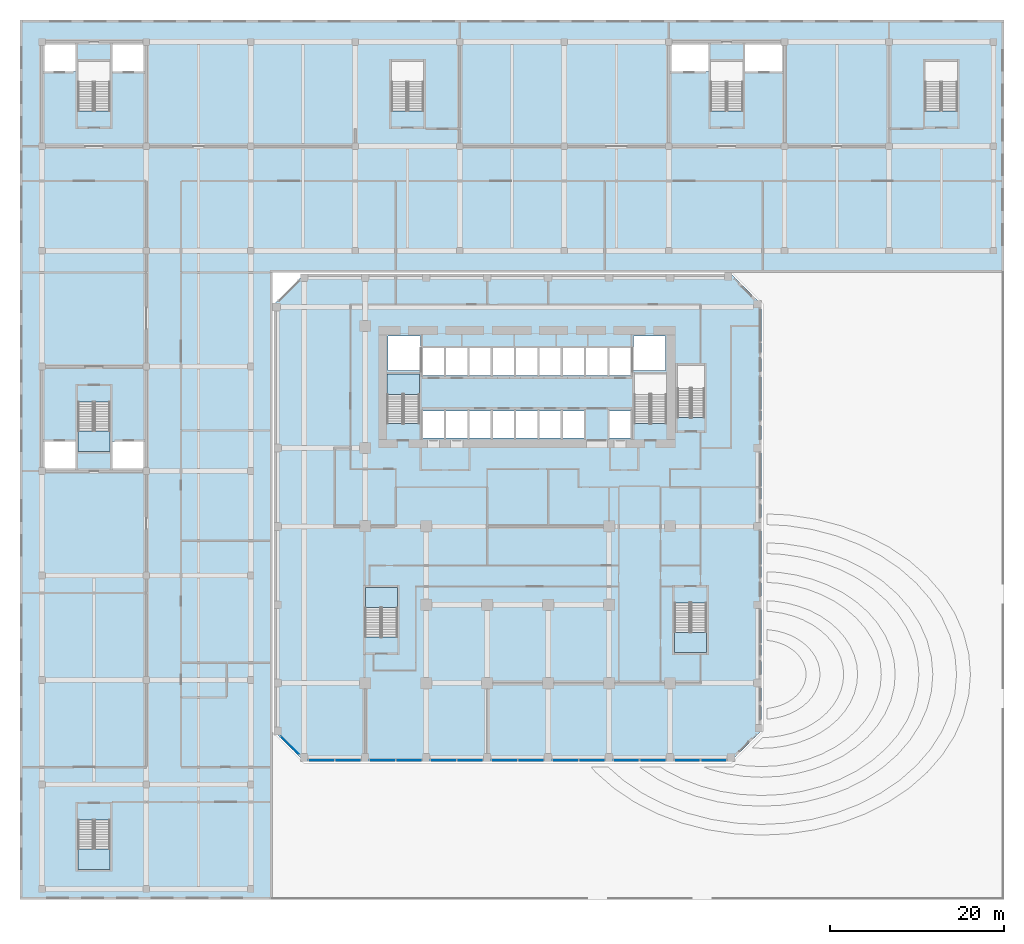
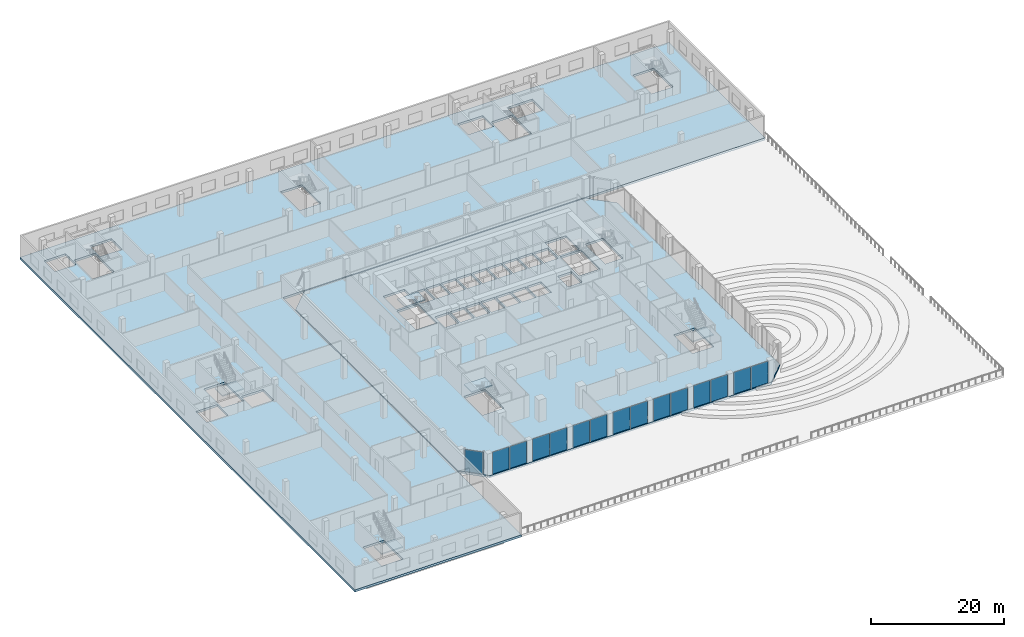
# One storey, part 12 of 38: 15 plates, 7 slabs, 20 elements without a shape of their own.
"""IFC4 building model written with IfcOpenShell, lengths in metres."""

from ifc_helpers import new_model, si_unit, direction, frame, origin, origin_2d, place, context, subcontext, project, spatial, polyline, rectangle, outline, extrude, source, transform, mapped, material, layer, layer_set, type_object, element, aggregate, save


model = new_model("IFC4")

# Units and contexts
model_context = context("Model", 3, precision=1e-05, world=origin(), true_north=direction((0.0, 1.0)))
body_context = subcontext(model_context, "Body", "Model", "MODEL_VIEW")
ifc_project = project(units=[si_unit("LENGTHUNIT", "METRE"), si_unit("AREAUNIT", "SQUARE_METRE"), si_unit("VOLUMEUNIT", "CUBIC_METRE"), si_unit("PLANEANGLEUNIT", "RADIAN"), si_unit("MASSUNIT", "GRAM", prefix="KILO")], contexts=[model_context])

# Site, building, storey
site_placement = place(None, origin())
site = spatial("IfcSite", under=ifc_project, at=site_placement, CompositionType="ELEMENT")
building_placement = place(site_placement, origin())
building = spatial("IfcBuilding", under=site, at=building_placement, Name="Kilnfold Tower and Market Hall", CompositionType="ELEMENT")
storey_placement = place(building_placement, frame((0.0, 0.0, 9.0)))
storey = spatial("IfcBuildingStorey", under=building, at=storey_placement, Name="L01", CompositionType="ELEMENT", Elevation=9.0)

# Slabs
ifc_material_1 = material(Name="Concrete C45", Category="concrete")
ifc_layer_1 = layer(ifc_material_1, 0.39990234375)
ifc_layer_set_1 = layer_set([ifc_layer_1], Name="Concrete C45")
slab_type_1 = type_object("IfcSlabType", Name="FLOOR SLAB 400", PredefinedType="FLOOR", material=ifc_layer_set_1)
shared_shape_1 = source(origin(), body_context, "Body", "SweptSolid", [
    extrude(outline(polyline([(-24.5, -28.0), (24.5, -28.0), (28.0, -24.5), (28.0, 24.5), (24.5, 28.0), (-24.5, 28.0), (-28.0, 24.5), (-28.0, -24.5), (-24.5, -28.0)]), holes=[polyline([(-17.49951171875, -13.699462890625), (-17.49951171875, -8.00048828125), (-13.800537109375, -8.00048828125), (-13.800537109375, -13.699462890625), (-17.49951171875, -13.699462890625)]), polyline([(-14.99951171875, 10.800537109375), (-14.99951171875, 16.49951171875), (-11.300537109375, 16.49951171875), (-11.300537109375, 10.800537109375), (-14.99951171875, 10.800537109375)]), polyline([(-14.875, 16.875), (-14.875, 20.875), (-11.175048828125, 20.875), (-11.175048828125, 16.875), (-14.875, 16.875)]), polyline([(-10.885009765625, 9.125), (-10.885009765625, 12.27490234375), (-8.455078125, 12.27490234375), (-8.455078125, 9.125), (-10.885009765625, 9.125)]), polyline([(-10.885009765625, 16.324951171875), (-10.885009765625, 19.47509765625), (-8.455078125, 19.47509765625), (-8.455078125, 16.324951171875), (-10.885009765625, 16.324951171875)]), polyline([(-8.205078125, 9.125), (-8.205078125, 12.27490234375), (-5.77490234375, 12.27490234375), (-5.77490234375, 9.125), (-8.205078125, 9.125)]), polyline([(-8.205078125, 16.324951171875), (-8.205078125, 19.47509765625), (-5.77490234375, 19.47509765625), (-5.77490234375, 16.324951171875), (-8.205078125, 16.324951171875)]), polyline([(-5.52490234375, 9.125), (-5.52490234375, 12.27490234375), (-3.094970703125, 12.27490234375), (-3.094970703125, 9.125), (-5.52490234375, 9.125)]), polyline([(-5.52490234375, 16.324951171875), (-5.52490234375, 19.47509765625), (-3.094970703125, 19.47509765625), (-3.094970703125, 16.324951171875), (-5.52490234375, 16.324951171875)]), polyline([(-2.844970703125, 9.125), (-2.844970703125, 12.27490234375), (-0.4150390625, 12.27490234375), (-0.4150390625, 9.125), (-2.844970703125, 9.125)]), polyline([(-2.844970703125, 16.324951171875), (-2.844970703125, 19.47509765625), (-0.4150390625, 19.47509765625), (-0.4150390625, 16.324951171875), (-2.844970703125, 16.324951171875)]), polyline([(-0.1650390625, 9.125), (-0.1650390625, 12.27490234375), (2.264892578125, 12.27490234375), (2.264892578125, 9.125), (-0.1650390625, 9.125)]), polyline([(-0.1650390625, 16.324951171875), (-0.1650390625, 19.47509765625), (2.264892578125, 19.47509765625), (2.264892578125, 16.324951171875), (-0.1650390625, 16.324951171875)]), polyline([(2.514892578125, 9.125), (2.514892578125, 12.27490234375), (4.945068359375, 12.27490234375), (4.945068359375, 9.125), (2.514892578125, 9.125)]), polyline([(2.514892578125, 16.324951171875), (2.514892578125, 19.47509765625), (4.945068359375, 19.47509765625), (4.945068359375, 16.324951171875), (2.514892578125, 16.324951171875)]), polyline([(5.195068359375, 9.125), (5.195068359375, 12.27490234375), (7.625, 12.27490234375), (7.625, 9.125), (5.195068359375, 9.125)]), polyline([(5.195068359375, 16.324951171875), (5.195068359375, 19.47509765625), (7.625, 19.47509765625), (7.625, 16.324951171875), (5.195068359375, 16.324951171875)]), polyline([(7.875, 16.324951171875), (7.875, 19.47509765625), (10.304931640625, 19.47509765625), (10.304931640625, 16.324951171875), (7.875, 16.324951171875)]), polyline([(10.554931640625, 9.125), (10.554931640625, 12.27490234375), (12.985107421875, 12.27490234375), (12.985107421875, 9.125), (10.554931640625, 9.125)]), polyline([(10.554931640625, 16.324951171875), (10.554931640625, 19.47509765625), (12.985107421875, 19.47509765625), (12.985107421875, 16.324951171875), (10.554931640625, 16.324951171875)]), polyline([(13.27490234375, 16.875), (13.27490234375, 20.875), (16.97509765625, 20.875), (16.97509765625, 16.875), (13.27490234375, 16.875)]), polyline([(13.400390625, 10.800537109375), (13.400390625, 16.49951171875), (17.099609375, 16.49951171875), (17.099609375, 10.800537109375), (13.400390625, 10.800537109375)]), polyline([(18.00048828125, -9.800537109375), (21.699462890625, -9.800537109375), (21.699462890625, -15.49951171875), (18.00048828125, -15.49951171875), (18.00048828125, -9.800537109375)]), polyline([(18.3505859375, 11.50048828125), (18.3505859375, 17.49951171875), (21.449462890625, 17.49951171875), (21.449462890625, 11.50048828125), (18.3505859375, 11.50048828125)])]), origin(), (0.0, 0.0, 1.0), 0.400146484375),
])
slab_1_placement = place(storey_placement, frame((0.0, 0.0, -0.400146484375)))
element("IfcSlab", 1, at=slab_1_placement, inside=storey, type_object=slab_type_1, Name="Floor slab L01", PredefinedType="FLOOR", context=body_context, shape_type="MappedRepresentation", body=[
    mapped(shared_shape_1, transform((0.0, 0.0, 0.0))),
])
ifc_material_2 = material(Name="Concrete C40/50", Category="concrete")
ifc_layer_2 = layer(ifc_material_2, 0.39990234375)
ifc_layer_set_2 = layer_set([ifc_layer_2], Name="Concrete C40/50")
slab_type_2 = type_object("IfcSlabType", Name="HALL SLAB 400", PredefinedType="FLOOR", material=ifc_layer_set_2)
shared_shape_2 = source(origin(), body_context, "Body", "SweptSolid", [
    extrude(outline(polyline([(-57.14990234375, -43.85009765625), (-28.14990234375, -43.85009765625), (-28.14990234375, -24.56201171875), (-28.14990234375, 24.56201171875), (-28.14990234375, 28.14990234375), (-24.56201171875, 28.14990234375), (24.56201171875, 28.14990234375), (55.85009765625, 28.14990234375), (55.85009765625, 57.14990234375), (-28.14990234375, 57.14990234375), (-57.14990234375, 57.14990234375), (-57.14990234375, 28.14990234375), (-57.14990234375, -43.85009765625)]), holes=[polyline([(-50.5, -34.705078125), (-50.5, -40.39990234375), (-46.800048828125, -40.39990234375), (-46.800048828125, -34.705078125), (-50.5, -34.705078125)]), polyline([(-50.5, 13.294921875), (-50.5, 7.60009765625), (-46.800048828125, 7.60009765625), (-46.800048828125, 13.294921875), (-50.5, 13.294921875)]), polyline([(-46.800048828125, 46.705078125), (-46.800048828125, 52.39990234375), (-50.5, 52.39990234375), (-50.5, 46.705078125), (-46.800048828125, 46.705078125)]), polyline([(-10.800048828125, 46.705078125), (-10.800048828125, 52.39990234375), (-14.5, 52.39990234375), (-14.5, 46.705078125), (-10.800048828125, 46.705078125)]), polyline([(25.85009765625, 46.705078125), (25.85009765625, 52.39990234375), (22.14990234375, 52.39990234375), (22.14990234375, 46.705078125), (25.85009765625, 46.705078125)]), polyline([(50.5, 46.705078125), (50.5, 52.39990234375), (46.800048828125, 52.39990234375), (46.800048828125, 46.705078125), (50.5, 46.705078125)]), polyline([(-54.5, 5.5), (-50.75, 5.5), (-50.75, 8.75), (-54.5, 8.75), (-54.5, 5.5)]), polyline([(-46.550048828125, 5.5), (-42.800048828125, 5.5), (-42.800048828125, 8.75), (-46.550048828125, 8.75), (-46.550048828125, 5.5)]), polyline([(-42.800048828125, 54.5), (-46.550048828125, 54.5), (-46.550048828125, 51.25), (-42.800048828125, 51.25), (-42.800048828125, 54.5)]), polyline([(-50.75, 54.5), (-54.5, 54.5), (-54.5, 51.25), (-50.75, 51.25), (-50.75, 54.5)]), polyline([(30.5, 54.5), (26.10009765625, 54.5), (26.10009765625, 51.25), (30.5, 51.25), (30.5, 54.5)]), polyline([(21.89990234375, 54.5), (17.5, 54.5), (17.5, 51.25), (21.89990234375, 51.25), (21.89990234375, 54.5)])]), origin(), (0.0, 0.0, 1.0), 0.39990234375),
])
slab_2_placement = place(storey_placement, frame((0.0, 0.0, -0.39990234375)))
element("IfcSlab", 2, at=slab_2_placement, inside=storey, type_object=slab_type_2, Name="Floor slab L01", PredefinedType="FLOOR", context=body_context, shape_type="MappedRepresentation", body=[
    mapped(shared_shape_2, transform((0.0, 0.0, 0.0))),
])

# Curtain wall, plate
ifc_material_3 = material(Name="Aluminium and double glazing", Category="aluminium")
curtain_wall_type = type_object("IfcCurtainWallType", Name="CW BASE PODIUM GLAZING", PredefinedType="NOTDEFINED", material=ifc_material_3)
curtain_wall_1_placement = place(storey_placement, origin())
curtain_wall_1 = element("IfcCurtainWall", 3, at=curtain_wall_1_placement, inside=storey, type_object=curtain_wall_type, Name="Curtain wall CW4 L01 S", PredefinedType="NOTDEFINED")
ifc_material_4 = material(Name="Double glazed unit")
ifc_layer_3 = layer(ifc_material_4, 0.035888671875)
ifc_layer_set_3 = layer_set([ifc_layer_3], Name="Double glazed unit")
plate_type = type_object("IfcPlateType", Name="GLAZING PANEL 36", PredefinedType="CURTAIN_PANEL", material=ifc_layer_set_3)
shared_shape_3 = source(origin(), body_context, "Body", "SweptSolid", [
    extrude(rectangle(XDim=2.909912109375, YDim=0.035888671875, at=origin_2d()), origin(), (0.0, 0.0, 1.0), 4.030029296875),
])
plate_1_placement = place(storey_placement, frame((-22.52490234375, -27.85009765625, 0.0), z_axis=(0.0, 0.0, 1.0), x_axis=(1.0, 0.0, 0.0)))
plate_1 = element("IfcPlate", 4, at=plate_1_placement, type_object=plate_type, Name="CW4 panel 1.1", PredefinedType="CURTAIN_PANEL", context=body_context, shape_type="MappedRepresentation", body=[
    mapped(shared_shape_3, transform((0.0, 0.0, 0.0))),
])
aggregate(curtain_wall_1, [plate_1])

curtain_wall_2_placement = place(storey_placement, origin())
curtain_wall_2 = element("IfcCurtainWall", 5, at=curtain_wall_2_placement, inside=storey, type_object=curtain_wall_type, Name="Curtain wall CW4 L01 S", PredefinedType="NOTDEFINED")
plate_2_placement = place(storey_placement, frame((-19.47509765625, -27.85009765625, 0.0), z_axis=(0.0, 0.0, 1.0), x_axis=(1.0, 0.0, 0.0)))
plate_2 = element("IfcPlate", 6, at=plate_2_placement, type_object=plate_type, Name="CW4 panel 1.1", PredefinedType="CURTAIN_PANEL", context=body_context, shape_type="MappedRepresentation", body=[
    mapped(shared_shape_3, transform((0.0, 0.0, 0.0))),
])
aggregate(curtain_wall_2, [plate_2])

curtain_wall_3_placement = place(storey_placement, origin())
curtain_wall_3 = element("IfcCurtainWall", 7, at=curtain_wall_3_placement, inside=storey, type_object=curtain_wall_type, Name="Curtain wall CW4 L01 S", PredefinedType="NOTDEFINED")
plate_3_placement = place(storey_placement, frame((-15.52490234375, -27.85009765625, 0.0), z_axis=(0.0, 0.0, 1.0), x_axis=(1.0, 0.0, 0.0)))
plate_3 = element("IfcPlate", 8, at=plate_3_placement, type_object=plate_type, Name="CW4 panel 1.1", PredefinedType="CURTAIN_PANEL", context=body_context, shape_type="MappedRepresentation", body=[
    mapped(shared_shape_3, transform((0.0, 0.0, 0.0))),
])
aggregate(curtain_wall_3, [plate_3])

curtain_wall_4_placement = place(storey_placement, origin())
curtain_wall_4 = element("IfcCurtainWall", 9, at=curtain_wall_4_placement, inside=storey, type_object=curtain_wall_type, Name="Curtain wall CW4 L01 S", PredefinedType="NOTDEFINED")
plate_4_placement = place(storey_placement, frame((-12.47509765625, -27.85009765625, 0.0), z_axis=(0.0, 0.0, 1.0), x_axis=(1.0, 0.0, 0.0)))
plate_4 = element("IfcPlate", 10, at=plate_4_placement, type_object=plate_type, Name="CW4 panel 1.1", PredefinedType="CURTAIN_PANEL", context=body_context, shape_type="MappedRepresentation", body=[
    mapped(shared_shape_3, transform((0.0, 0.0, 0.0))),
])
aggregate(curtain_wall_4, [plate_4])

curtain_wall_5_placement = place(storey_placement, origin())
curtain_wall_5 = element("IfcCurtainWall", 11, at=curtain_wall_5_placement, inside=storey, type_object=curtain_wall_type, Name="Curtain wall CW4 L01 S", PredefinedType="NOTDEFINED")
plate_5_placement = place(storey_placement, frame((-8.52490234375, -27.85009765625, 0.0), z_axis=(0.0, 0.0, 1.0), x_axis=(1.0, 0.0, 0.0)))
plate_5 = element("IfcPlate", 12, at=plate_5_placement, type_object=plate_type, Name="CW4 panel 1.1", PredefinedType="CURTAIN_PANEL", context=body_context, shape_type="MappedRepresentation", body=[
    mapped(shared_shape_3, transform((0.0, 0.0, 0.0))),
])
aggregate(curtain_wall_5, [plate_5])

curtain_wall_6_placement = place(storey_placement, origin())
curtain_wall_6 = element("IfcCurtainWall", 13, at=curtain_wall_6_placement, inside=storey, type_object=curtain_wall_type, Name="Curtain wall CW4 L01 S", PredefinedType="NOTDEFINED")
plate_6_placement = place(storey_placement, frame((-5.47509765625, -27.85009765625, 0.0), z_axis=(0.0, 0.0, 1.0), x_axis=(1.0, 0.0, 0.0)))
plate_6 = element("IfcPlate", 14, at=plate_6_placement, type_object=plate_type, Name="CW4 panel 1.1", PredefinedType="CURTAIN_PANEL", context=body_context, shape_type="MappedRepresentation", body=[
    mapped(shared_shape_3, transform((0.0, 0.0, 0.0))),
])
aggregate(curtain_wall_6, [plate_6])

curtain_wall_7_placement = place(storey_placement, origin())
curtain_wall_7 = element("IfcCurtainWall", 15, at=curtain_wall_7_placement, inside=storey, type_object=curtain_wall_type, Name="Curtain wall CW4 L01 S", PredefinedType="NOTDEFINED")
plate_7_placement = place(storey_placement, frame((-1.52490234375, -27.85009765625, 0.0), z_axis=(0.0, 0.0, 1.0), x_axis=(1.0, 0.0, 0.0)))
plate_7 = element("IfcPlate", 16, at=plate_7_placement, type_object=plate_type, Name="CW4 panel 1.1", PredefinedType="CURTAIN_PANEL", context=body_context, shape_type="MappedRepresentation", body=[
    mapped(shared_shape_3, transform((0.0, 0.0, 0.0))),
])
aggregate(curtain_wall_7, [plate_7])

curtain_wall_8_placement = place(storey_placement, origin())
curtain_wall_8 = element("IfcCurtainWall", 17, at=curtain_wall_8_placement, inside=storey, type_object=curtain_wall_type, Name="Curtain wall CW4 L01 S", PredefinedType="NOTDEFINED")
plate_8_placement = place(storey_placement, frame((1.52490234375, -27.85009765625, 0.0), z_axis=(0.0, 0.0, 1.0), x_axis=(1.0, 0.0, 0.0)))
plate_8 = element("IfcPlate", 18, at=plate_8_placement, type_object=plate_type, Name="CW4 panel 1.1", PredefinedType="CURTAIN_PANEL", context=body_context, shape_type="MappedRepresentation", body=[
    mapped(shared_shape_3, transform((0.0, 0.0, 0.0))),
])
aggregate(curtain_wall_8, [plate_8])

curtain_wall_9_placement = place(storey_placement, origin())
curtain_wall_9 = element("IfcCurtainWall", 19, at=curtain_wall_9_placement, inside=storey, type_object=curtain_wall_type, Name="Curtain wall CW4 L01 S", PredefinedType="NOTDEFINED")
plate_9_placement = place(storey_placement, frame((5.47509765625, -27.85009765625, 0.0), z_axis=(0.0, 0.0, 1.0), x_axis=(1.0, 0.0, 0.0)))
plate_9 = element("IfcPlate", 20, at=plate_9_placement, type_object=plate_type, Name="CW4 panel 1.1", PredefinedType="CURTAIN_PANEL", context=body_context, shape_type="MappedRepresentation", body=[
    mapped(shared_shape_3, transform((0.0, 0.0, 0.0))),
])
aggregate(curtain_wall_9, [plate_9])

curtain_wall_10_placement = place(storey_placement, origin())
curtain_wall_10 = element("IfcCurtainWall", 21, at=curtain_wall_10_placement, inside=storey, type_object=curtain_wall_type, Name="Curtain wall CW4 L01 S", PredefinedType="NOTDEFINED")
plate_10_placement = place(storey_placement, frame((8.52490234375, -27.85009765625, 0.0), z_axis=(0.0, 0.0, 1.0), x_axis=(1.0, 0.0, 0.0)))
plate_10 = element("IfcPlate", 22, at=plate_10_placement, type_object=plate_type, Name="CW4 panel 1.1", PredefinedType="CURTAIN_PANEL", context=body_context, shape_type="MappedRepresentation", body=[
    mapped(shared_shape_3, transform((0.0, 0.0, 0.0))),
])
aggregate(curtain_wall_10, [plate_10])

curtain_wall_11_placement = place(storey_placement, origin())
curtain_wall_11 = element("IfcCurtainWall", 23, at=curtain_wall_11_placement, inside=storey, type_object=curtain_wall_type, Name="Curtain wall CW4 L01 S", PredefinedType="NOTDEFINED")
plate_11_placement = place(storey_placement, frame((12.47509765625, -27.85009765625, 0.0), z_axis=(0.0, 0.0, 1.0), x_axis=(1.0, 0.0, 0.0)))
plate_11 = element("IfcPlate", 24, at=plate_11_placement, type_object=plate_type, Name="CW4 panel 1.1", PredefinedType="CURTAIN_PANEL", context=body_context, shape_type="MappedRepresentation", body=[
    mapped(shared_shape_3, transform((0.0, 0.0, 0.0))),
])
aggregate(curtain_wall_11, [plate_11])

curtain_wall_12_placement = place(storey_placement, origin())
curtain_wall_12 = element("IfcCurtainWall", 25, at=curtain_wall_12_placement, inside=storey, type_object=curtain_wall_type, Name="Curtain wall CW4 L01 S", PredefinedType="NOTDEFINED")
plate_12_placement = place(storey_placement, frame((15.52490234375, -27.85009765625, 0.0), z_axis=(0.0, 0.0, 1.0), x_axis=(1.0, 0.0, 0.0)))
plate_12 = element("IfcPlate", 26, at=plate_12_placement, type_object=plate_type, Name="CW4 panel 1.1", PredefinedType="CURTAIN_PANEL", context=body_context, shape_type="MappedRepresentation", body=[
    mapped(shared_shape_3, transform((0.0, 0.0, 0.0))),
])
aggregate(curtain_wall_12, [plate_12])

curtain_wall_13_placement = place(storey_placement, origin())
curtain_wall_13 = element("IfcCurtainWall", 27, at=curtain_wall_13_placement, inside=storey, type_object=curtain_wall_type, Name="Curtain wall CW4 L01 S", PredefinedType="NOTDEFINED")
plate_13_placement = place(storey_placement, frame((19.47509765625, -27.85009765625, 0.0), z_axis=(0.0, 0.0, 1.0), x_axis=(1.0, 0.0, 0.0)))
plate_13 = element("IfcPlate", 28, at=plate_13_placement, type_object=plate_type, Name="CW4 panel 1.1", PredefinedType="CURTAIN_PANEL", context=body_context, shape_type="MappedRepresentation", body=[
    mapped(shared_shape_3, transform((0.0, 0.0, 0.0))),
])
aggregate(curtain_wall_13, [plate_13])

curtain_wall_14_placement = place(storey_placement, origin())
curtain_wall_14 = element("IfcCurtainWall", 29, at=curtain_wall_14_placement, inside=storey, type_object=curtain_wall_type, Name="Curtain wall CW4 L01 S", PredefinedType="NOTDEFINED")
plate_14_placement = place(storey_placement, frame((22.52490234375, -27.85009765625, 0.0), z_axis=(0.0, 0.0, 1.0), x_axis=(1.0, 0.0, 0.0)))
plate_14 = element("IfcPlate", 30, at=plate_14_placement, type_object=plate_type, Name="CW4 panel 1.1", PredefinedType="CURTAIN_PANEL", context=body_context, shape_type="MappedRepresentation", body=[
    mapped(shared_shape_3, transform((0.0, 0.0, 0.0))),
])
aggregate(curtain_wall_14, [plate_14])

curtain_wall_15_placement = place(storey_placement, origin())
curtain_wall_15 = element("IfcCurtainWall", 31, at=curtain_wall_15_placement, inside=storey, type_object=curtain_wall_type, Name="Curtain wall CW4 L01 SW", PredefinedType="NOTDEFINED")
shared_shape_4 = source(origin(), body_context, "Body", "SweptSolid", [
    extrude(rectangle(XDim=2.900634765625, YDim=0.035888671875, at=origin_2d()), origin(), (0.0, 0.0, 1.0), 4.030029296875),
])
plate_15_placement = place(storey_placement, frame((-26.143798828125, -26.14404296875, 0.0), z_axis=(0.0, 0.0, 1.0), x_axis=(0.707090337034, -0.707123224957, 0.0)))
plate_15 = element("IfcPlate", 32, at=plate_15_placement, type_object=plate_type, Name="CW4 panel 1.1", PredefinedType="CURTAIN_PANEL", context=body_context, shape_type="MappedRepresentation", body=[
    mapped(shared_shape_4, transform((0.0, 0.0, 0.0))),
])
aggregate(curtain_wall_15, [plate_15])

# Stair, slab
ifc_material_5 = material(Name="Concrete C40/50", Category="concrete")
stair_type_1 = type_object("IfcStairType", Name="CORE STAIR 1800", PredefinedType="HALF_TURN_STAIR", material=ifc_material_5)
stair_1_placement = place(storey_placement, origin())
stair_1 = element("IfcStair", 33, at=stair_1_placement, inside=storey, type_object=stair_type_1, Name="L01 ST1", PredefinedType="HALF_TURN_STAIR")
ifc_material_6 = material(Name="Concrete C40/50", Category="concrete")
ifc_layer_4 = layer(ifc_material_6, 0.199951171875)
ifc_layer_set_4 = layer_set([ifc_layer_4], Name="Concrete C40/50")
slab_type_3 = type_object("IfcSlabType", Name="CORE STAIR LANDING 200", PredefinedType="LANDING", material=ifc_layer_set_4)
shared_shape_5 = source(origin(), body_context, "Body", "SweptSolid", [
    extrude(outline(polyline([(-11.300048828125, 14.159912109375), (-11.300048828125, 16.5), (-15.0, 16.5), (-15.0, 14.159912109375), (-11.300048828125, 14.159912109375)])), origin(), (0.0, 0.0, 1.0), 0.199951171875),
])
slab_3_placement = place(storey_placement, frame((0.0, 0.0, 2.050048828125)))
slab_3 = element("IfcSlab", 34, at=slab_3_placement, type_object=slab_type_3, Name="ST1 landing 1", PredefinedType="LANDING", context=body_context, shape_type="MappedRepresentation", body=[
    mapped(shared_shape_5, transform((0.0, 0.0, 0.0))),
])
aggregate(stair_1, [slab_3])

stair_2_placement = place(storey_placement, origin())
stair_2 = element("IfcStair", 35, at=stair_2_placement, inside=storey, type_object=stair_type_1, Name="L01 ST3", PredefinedType="HALF_TURN_STAIR")
shared_shape_6 = source(origin(), body_context, "Body", "SweptSolid", [
    extrude(outline(polyline([(-13.800048828125, -10.340087890625), (-13.800048828125, -8.0), (-17.5, -8.0), (-17.5, -10.340087890625), (-13.800048828125, -10.340087890625)])), origin(), (0.0, 0.0, 1.0), 0.199951171875),
])
slab_4_placement = place(storey_placement, frame((0.0, 0.0, 2.050048828125)))
slab_4 = element("IfcSlab", 36, at=slab_4_placement, type_object=slab_type_3, Name="ST3 landing 1", PredefinedType="LANDING", context=body_context, shape_type="MappedRepresentation", body=[
    mapped(shared_shape_6, transform((0.0, 0.0, 0.0))),
])
aggregate(stair_2, [slab_4])

stair_3_placement = place(storey_placement, origin())
stair_3 = element("IfcStair", 37, at=stair_3_placement, inside=storey, type_object=stair_type_1, Name="L01 ST4", PredefinedType="HALF_TURN_STAIR")
shared_shape_7 = source(origin(), body_context, "Body", "SweptSolid", [
    extrude(outline(polyline([(18.0, -13.159912109375), (18.0, -15.5), (21.699951171875, -15.5), (21.699951171875, -13.159912109375), (18.0, -13.159912109375)])), origin(), (0.0, 0.0, 1.0), 0.199951171875),
])
slab_5_placement = place(storey_placement, frame((0.0, 0.0, 2.050048828125)))
slab_5 = element("IfcSlab", 38, at=slab_5_placement, type_object=slab_type_3, Name="ST4 landing 1", PredefinedType="LANDING", context=body_context, shape_type="MappedRepresentation", body=[
    mapped(shared_shape_7, transform((0.0, 0.0, 0.0))),
])
aggregate(stair_3, [slab_5])

ifc_material_7 = material(Name="Concrete C40/50", Category="concrete")
stair_type_2 = type_object("IfcStairType", Name="HALL STAIR", PredefinedType="HALF_TURN_STAIR", material=ifc_material_7)
stair_4_placement = place(storey_placement, origin())
stair_4 = element("IfcStair", 39, at=stair_4_placement, inside=storey, type_object=stair_type_2, Name="L01 MS1", PredefinedType="HALF_TURN_STAIR")
ifc_material_8 = material(Name="Concrete C40/50", Category="concrete")
ifc_layer_5 = layer(ifc_material_8, 0.199951171875)
ifc_layer_set_5 = layer_set([ifc_layer_5], Name="Concrete C40/50")
slab_type_4 = type_object("IfcSlabType", Name="HALL STAIR LANDING", PredefinedType="LANDING", material=ifc_layer_set_5)
shared_shape_8 = source(origin(), body_context, "Body", "SweptSolid", [
    extrude(outline(polyline([(-50.5, -38.06005859375), (-50.5, -40.39990234375), (-46.800048828125, -40.39990234375), (-46.800048828125, -38.06005859375), (-50.5, -38.06005859375)])), origin(), (0.0, 0.0, 1.0), 0.199951171875),
])
slab_6_placement = place(storey_placement, frame((0.0, 0.0, 2.050048828125)))
slab_6 = element("IfcSlab", 40, at=slab_6_placement, type_object=slab_type_4, Name="MS1 landing 1", PredefinedType="LANDING", context=body_context, shape_type="MappedRepresentation", body=[
    mapped(shared_shape_8, transform((0.0, 0.0, 0.0))),
])
aggregate(stair_4, [slab_6])

stair_5_placement = place(storey_placement, origin())
stair_5 = element("IfcStair", 41, at=stair_5_placement, inside=storey, type_object=stair_type_2, Name="L01 MS2", PredefinedType="HALF_TURN_STAIR")
shared_shape_9 = source(origin(), body_context, "Body", "SweptSolid", [
    extrude(outline(polyline([(-50.5, 9.93994140625), (-50.5, 7.60009765625), (-46.800048828125, 7.60009765625), (-46.800048828125, 9.93994140625), (-50.5, 9.93994140625)])), origin(), (0.0, 0.0, 1.0), 0.199951171875),
])
slab_7_placement = place(storey_placement, frame((0.0, 0.0, 2.050048828125)))
slab_7 = element("IfcSlab", 42, at=slab_7_placement, type_object=slab_type_4, Name="MS2 landing 1", PredefinedType="LANDING", context=body_context, shape_type="MappedRepresentation", body=[
    mapped(shared_shape_9, transform((0.0, 0.0, 0.0))),
])
aggregate(stair_5, [slab_7])

save(model, "model.ifc")
